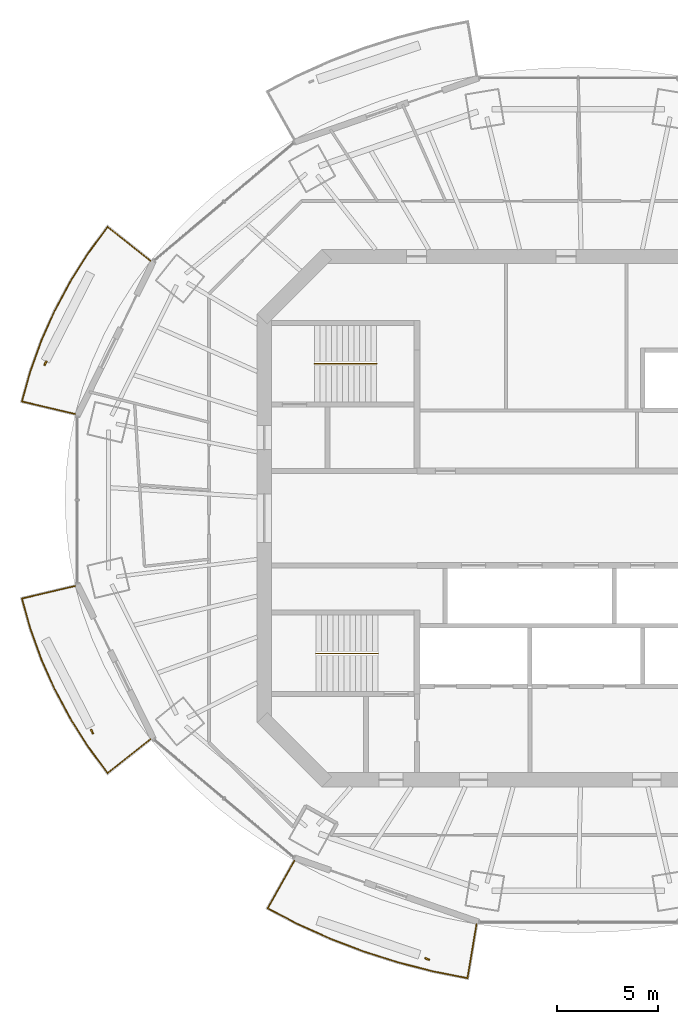
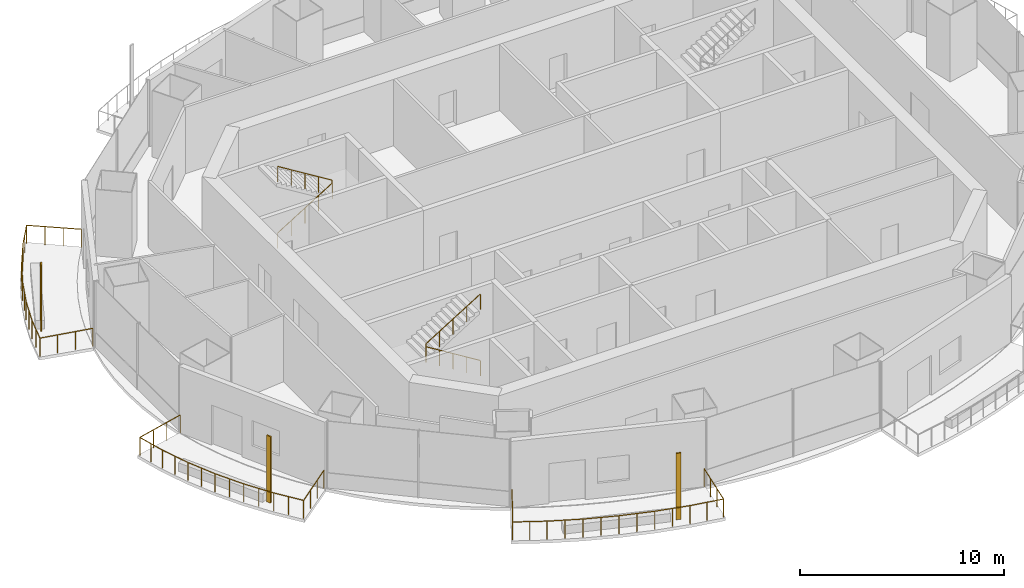
# One storey, part 12 of 15: 5 railings, 3 shading devices.
"""IFC4 building model written with IfcOpenShell, lengths in metres."""

import ifcopenshell
import ifcopenshell.guid

model = None  # the IFC model being written
_history = None  # IfcOwnerHistory: only IFC2X3 demands one
_inside = {}  # id of a spatial element -> (the spatial element, [elements in it])
_under = {}  # id of a project, library or spatial element -> (it, [spatial elements below it])
_declared = {}  # id of a project -> (the project, [libraries it declares])
_typed = {}  # id of a type object -> (the type object, [elements of that type])
_made_of = {}  # id of a material, layer set ... -> (it, [elements and type objects made of it])


def new_model(schema):
    """Start an empty IFC model of exactly this schema.

    Asked for "IFC4X3", IfcOpenShell would pick the latest addendum, in which some entities
    have other attributes; the version numbers below select the first issue.
    IFC2X3 requires an IfcOwnerHistory on every rooted entity: one is made here for all.
    """
    global model, _history
    if schema == "IFC4X3":
        model = ifcopenshell.file(schema_version=(4, 3, 0, 0))
    else:
        model = ifcopenshell.file(schema=schema)
    _inside.clear()
    _under.clear()
    _declared.clear()
    _typed.clear()
    _made_of.clear()
    _history = None
    if model.schema == "IFC2X3":
        org = make("IfcOrganization", Name="unknown")
        user = make(
            "IfcPersonAndOrganization",
            ThePerson=make("IfcPerson", FamilyName="unknown"),
            TheOrganization=org,
        )
        app = make(
            "IfcApplication",
            ApplicationDeveloper=org,
            Version="unknown",
            ApplicationFullName="unknown",
            ApplicationIdentifier="unknown",
        )
        _history = make(
            "IfcOwnerHistory",
            OwningUser=user,
            OwningApplication=app,
            ChangeAction="ADDED",
            CreationDate=0,
        )
    return model


def make(cls, **values):
    """One entity of the class cls with the attributes given. An attribute that is None is left unset."""
    return model.create_entity(
        cls, **{name: value for name, value in values.items() if value is not None}
    )


def rooted(cls, **values):
    """An entity with a GlobalId (a new one), such as an element, a storey or a relation."""
    return make(cls, GlobalId=ifcopenshell.guid.new(), OwnerHistory=_history, **values)


def si_unit(unit_type, name, prefix=None):
    """IfcSIUnit, for example si_unit("LENGTHUNIT", "METRE", prefix="MILLI")."""
    return make("IfcSIUnit", UnitType=unit_type, Prefix=prefix, Name=name)


def assignment(units):
    """IfcUnitAssignment: the units of a project."""
    return None if units is None else make("IfcUnitAssignment", Units=units)


def point(xyz):
    """IfcCartesianPoint."""
    return None if xyz is None else make("IfcCartesianPoint", Coordinates=xyz)


def direction(xyz):
    """IfcDirection."""
    return None if xyz is None else make("IfcDirection", DirectionRatios=xyz)


def frame(location, z_axis=None, x_axis=None):
    """IfcAxis2Placement3D, a coordinate frame: its origin and axes. An axis left out is left unset."""
    return make(
        "IfcAxis2Placement3D",
        Location=point(location),
        Axis=direction(z_axis),
        RefDirection=direction(x_axis),
    )


def frame_2d(location, x_axis=None):
    """IfcAxis2Placement2D, a coordinate frame in the plane: its origin and x axis."""
    return make(
        "IfcAxis2Placement2D", Location=point(location), RefDirection=direction(x_axis)
    )


def origin():
    """The frame at (0, 0, 0) with its axes left unset."""
    return frame((0.0, 0.0, 0.0))


def origin_2d():
    """The frame at (0, 0) in the plane with its x axis left unset."""
    return frame_2d((0.0, 0.0))


def place(relative_to, where):
    """IfcLocalPlacement: puts the frame where relative to a parent placement (None: the world)."""
    return make(
        "IfcLocalPlacement", PlacementRelTo=relative_to, RelativePlacement=where
    )


def context(
    kind, dimensions, precision=None, world=None, true_north=None, identifier=None
):
    """IfcGeometricRepresentationContext, for example the 3D "Model" context."""
    return make(
        "IfcGeometricRepresentationContext",
        ContextIdentifier=identifier,
        ContextType=kind,
        CoordinateSpaceDimension=dimensions,
        Precision=precision,
        WorldCoordinateSystem=world,
        TrueNorth=true_north,
    )


def subcontext(parent, identifier, kind, view, scale=None):
    """IfcGeometricRepresentationSubContext, for example "Body" below "Model"."""
    return make(
        "IfcGeometricRepresentationSubContext",
        ContextIdentifier=identifier,
        ContextType=kind,
        ParentContext=parent,
        TargetScale=scale,
        TargetView=view,
    )


def project(units=None, contexts=None):
    """IfcProject with its units and contexts."""
    return rooted(
        "IfcProject",
        Name="project",
        RepresentationContexts=contexts,
        UnitsInContext=assignment(units),
    )


def spatial(cls, under=None, at=None, **own):
    """A site, building, storey or space (cls), placed at a placement, below another one or the project."""
    s = rooted(cls, ObjectPlacement=at, **own)
    if under is not None:
        _under.setdefault(under.id(), (under, []))[1].append(s)
    return s


def profile(cls, at=None, kind="AREA", **sizes):
    """A parametric profile (cls). Its sizes go by their IFC names, for example OverallWidth=200.0."""
    return make(cls, ProfileType=kind, Position=at, **sizes)


def rectangle(**sizes):
    """IfcRectangleProfileDef."""
    return profile("IfcRectangleProfileDef", **sizes)


def circle(**sizes):
    """IfcCircleProfileDef."""
    return profile("IfcCircleProfileDef", **sizes)


def extrude(swept, where, along, depth):
    """IfcExtrudedAreaSolid: the profile swept, set in the frame where, extruded along a direction by depth."""
    return make(
        "IfcExtrudedAreaSolid",
        SweptArea=swept,
        Position=where,
        ExtrudedDirection=direction(along),
        Depth=depth,
    )


def shape(context_of_items, identifier, shape_type, items):
    """IfcShapeRepresentation: the items that make up one representation, for example the "Body"."""
    return make(
        "IfcShapeRepresentation",
        ContextOfItems=context_of_items,
        RepresentationIdentifier=identifier,
        RepresentationType=shape_type,
        Items=items,
    )


def material(Name=None, Category=None):
    """IfcMaterial."""
    return make("IfcMaterial", Name=Name, Category=Category)


def material_profile(
    of_material, cross_section, Name=None, Category=None, Priority=None
):
    """IfcMaterialProfile: a cross section and its material."""
    return make(
        "IfcMaterialProfile",
        Name=Name,
        Material=of_material,
        Profile=cross_section,
        Priority=Priority,
        Category=Category,
    )


def profile_set(profiles, Name=None, composite=None):
    """IfcMaterialProfileSet."""
    return make(
        "IfcMaterialProfileSet",
        Name=Name,
        MaterialProfiles=profiles,
        CompositeProfile=composite,
    )


def made_of(thing, what):
    """Note that an element or type object is made of a material, layer set ...; save() writes the relation."""
    if what is not None:
        _made_of.setdefault(what.id(), (what, []))[1].append(thing)
    return thing


def type_object(cls, material=None, **own):
    """A type object (cls), such as IfcWallType, which elements share."""
    return made_of(rooted(cls, **own), material)


def element(
    cls,
    number,
    at=None,
    inside=None,
    cuts=None,
    type_object=None,
    material=None,
    context=None,
    identifier="Body",
    shape_type=None,
    held_by="IfcProductDefinitionShape",
    body=None,
    shapes=None,
    **own,
):
    """One element of the class cls, such as IfcWall. Its Tag is "e" and its number.

    at: its placement. inside: the storey or other place that contains it. cuts: it is an
    opening in that element (IfcRelVoidsElement). A single representation is given by context,
    identifier, shape_type and body (its items); several are given by shapes. held_by: the class
    of the entity that holds the representations. save() writes the other relations.
    """
    e = rooted(cls, Tag="e%d" % number, ObjectPlacement=at, **own)
    if body is not None:
        shapes = [shape(context, identifier, shape_type, body)]
    if shapes is not None:
        e.Representation = make(held_by, Representations=shapes)
    if inside is not None:
        _inside.setdefault(inside.id(), (inside, []))[1].append(e)
    if cuts is not None:
        rooted(
            "IfcRelVoidsElement", RelatingBuildingElement=cuts, RelatedOpeningElement=e
        )
    if type_object is not None:
        _typed.setdefault(type_object.id(), (type_object, []))[1].append(e)
    return made_of(e, material)


def aggregate(whole, parts):
    """IfcRelAggregates: a whole, such as a stair, and the parts it consists of."""
    return rooted("IfcRelAggregates", RelatingObject=whole, RelatedObjects=parts)


def save(model, path):
    """Write the relations noted so far, then the file.

    IfcRelAggregates (storeys below a building ...), IfcRelContainedInSpatialStructure (elements
    in a storey), IfcRelDefinesByType, IfcRelAssociatesMaterial and IfcRelDeclares: one each for
    every whole, place, type object, material and project.
    """
    for whole, parts in _under.values():
        aggregate(whole, parts)
    for where, things in _inside.values():
        rooted(
            "IfcRelContainedInSpatialStructure",
            RelatedElements=things,
            RelatingStructure=where,
        )
    for kind, things in _typed.values():
        rooted("IfcRelDefinesByType", RelatedObjects=things, RelatingType=kind)
    for what, things in _made_of.values():
        rooted("IfcRelAssociatesMaterial", RelatedObjects=things, RelatingMaterial=what)
    for by, libraries in _declared.values():
        rooted("IfcRelDeclares", RelatingContext=by, RelatedDefinitions=libraries)
    model.write(path)


model = new_model("IFC4")

# Units and contexts
model_context = context("Model", 3, precision=1e-05, world=origin(), true_north=direction((0.0, 1.0)))
body_context = subcontext(model_context, "Body", "Model", "MODEL_VIEW")
ifc_project = project(units=[si_unit("LENGTHUNIT", "METRE"), si_unit("AREAUNIT", "SQUARE_METRE"), si_unit("VOLUMEUNIT", "CUBIC_METRE"), si_unit("PLANEANGLEUNIT", "RADIAN"), si_unit("MASSUNIT", "GRAM", prefix="KILO")], contexts=[model_context])

# Site, building, storey
site_placement = place(None, origin())
site = spatial("IfcSite", under=ifc_project, at=site_placement, CompositionType="ELEMENT")
building_placement = place(site_placement, origin())
building = spatial("IfcBuilding", under=site, at=building_placement, Name="Marenthal Gate Tower", CompositionType="ELEMENT")
storey_placement = place(building_placement, frame((0.0, 0.0, 388.25)))
storey = spatial("IfcBuildingStorey", under=building, at=storey_placement, Name="L88", CompositionType="ELEMENT", Elevation=388.25)

# Railings
ifc_material_1 = material(Name="Stainless steel", Category="steel")
railing_type_1 = type_object("IfcRailingType", Name="Balcony guard 1100", PredefinedType="GUARDRAIL", material=ifc_material_1)
railing_1_placement = place(storey_placement, frame((-25.3916015625, 5.17236328125, 0.0)))
element("IfcRailing", 1, at=railing_1_placement, inside=storey, type_object=railing_type_1, Name="Balcony guard L88 bay 7", PredefinedType="GUARDRAIL", context=body_context, shape_type="SweptSolid", body=[
    extrude(circle(Radius=0.02392578125, at=origin_2d()), frame((0.0, 0.0, 1.076171875), z_axis=(-0.973242229013, 0.229309654659, -0.014718897598), x_axis=(-0.2293344982, -0.973347670637, 0.0)), (0.0, 0.0, 1.0), 2.72021484375),
    extrude(circle(Radius=0.02392578125, at=origin_2d()), frame((-2.6474609375, 0.623779296875, 1.0361328125), z_axis=(0.268383876194, 0.963312044459, 0.0), x_axis=(-0.963312044459, 0.268383876194, 0.0)), (0.0, 0.0, 1.0), 1.54833984375),
    extrude(circle(Radius=0.02392578125, at=origin_2d()), frame((-2.23193359375, 2.115234375, 1.0361328125), z_axis=(0.338455003205, 0.940982577312, 0.0), x_axis=(-0.940982577312, 0.338455003205, 0.0)), (0.0, 0.0, 1.0), 1.634521484375),
    extrude(circle(Radius=0.02392578125, at=origin_2d()), frame((-1.6787109375, 3.6533203125, 1.0361328125), z_axis=(0.40761322546, 0.91315467388, 0.0), x_axis=(-0.91315467388, 0.40761322546, 0.0)), (0.0, 0.0, 1.0), 1.642822265625),
    extrude(circle(Radius=0.02392578125, at=origin_2d()), frame((-1.009033203125, 5.153564453125, 1.0361328125), z_axis=(0.473209477618, 0.880949936315, 0.0), x_axis=(-0.880949936315, 0.473209477618, 0.0)), (0.0, 0.0, 1.0), 1.652099609375),
    extrude(circle(Radius=0.02392578125, at=origin_2d()), frame((-0.227294921875, 6.60888671875, 1.0361328125), z_axis=(0.53537343379, 0.844615466583, 0.0), x_axis=(-0.844615466583, 0.53537343379, 0.0)), (0.0, 0.0, 1.0), 1.66259765625),
    extrude(circle(Radius=0.02392578125, at=origin_2d()), frame((0.662841796875, 8.01318359375, 1.0361328125), z_axis=(0.592007425155, 0.805932508689, 0.0), x_axis=(-0.805932508689, 0.592007425155, 0.0)), (0.0, 0.0, 1.0), 1.59423828125),
    extrude(circle(Radius=0.02392578125, at=origin_2d()), frame((1.606689453125, 9.298095703125, 1.0361328125), z_axis=(0.783960909107, -0.620635719709, 0.014717214869), x_axis=(0.620702944366, 0.784045824462, 0.0)), (0.0, 0.0, 1.0), 2.720458984375),
    extrude(circle(Radius=0.02099609375, at=origin_2d()), origin(), (0.0, 0.0, 1.0), 1.052001953125),
    extrude(circle(Radius=0.02099609375, at=origin_2d()), frame((-0.882568359375, 0.2080078125, -0.013427734375)), (0.0, 0.0, 1.0), 1.052001953125),
    extrude(circle(Radius=0.02099609375, at=origin_2d()), frame((-1.764892578125, 0.415771484375, -0.026611328125)), (0.0, 0.0, 1.0), 1.052001953125),
    extrude(circle(Radius=0.02099609375, at=origin_2d()), frame((-2.6474609375, 0.623779296875, -0.0400390625)), (0.0, 0.0, 1.0), 1.052001953125),
    extrude(circle(Radius=0.02099609375, at=origin_2d()), frame((-2.439697265625, 1.36962890625, -0.0400390625)), (0.0, 0.0, 1.0), 1.052001953125),
    extrude(circle(Radius=0.02099609375, at=origin_2d()), frame((-2.23193359375, 2.115234375, -0.0400390625)), (0.0, 0.0, 1.0), 1.052001953125),
    extrude(circle(Radius=0.02099609375, at=origin_2d()), frame((-1.955322265625, 2.88427734375, -0.0400390625)), (0.0, 0.0, 1.0), 1.052001953125),
    extrude(circle(Radius=0.02099609375, at=origin_2d()), frame((-1.6787109375, 3.6533203125, -0.0400390625)), (0.0, 0.0, 1.0), 1.052001953125),
    extrude(circle(Radius=0.02099609375, at=origin_2d()), frame((-1.34375, 4.4033203125, -0.0400390625)), (0.0, 0.0, 1.0), 1.052001953125),
    extrude(circle(Radius=0.02099609375, at=origin_2d()), frame((-1.009033203125, 5.153564453125, -0.0400390625)), (0.0, 0.0, 1.0), 1.052001953125),
    extrude(circle(Radius=0.02099609375, at=origin_2d()), frame((-0.6181640625, 5.88134765625, -0.0400390625)), (0.0, 0.0, 1.0), 1.052001953125),
    extrude(circle(Radius=0.02099609375, at=origin_2d()), frame((-0.227294921875, 6.60888671875, -0.0400390625)), (0.0, 0.0, 1.0), 1.052001953125),
    extrude(circle(Radius=0.02099609375, at=origin_2d()), frame((0.2177734375, 7.31103515625, -0.0400390625)), (0.0, 0.0, 1.0), 1.052001953125),
    extrude(circle(Radius=0.02099609375, at=origin_2d()), frame((0.662841796875, 8.01318359375, -0.0400390625)), (0.0, 0.0, 1.0), 1.052001953125),
    extrude(circle(Radius=0.02099609375, at=origin_2d()), frame((1.134765625, 8.65576171875, -0.0400390625)), (0.0, 0.0, 1.0), 1.052001953125),
    extrude(circle(Radius=0.02099609375, at=origin_2d()), frame((1.606689453125, 9.298095703125, -0.0400390625)), (0.0, 0.0, 1.0), 1.052001953125),
    extrude(circle(Radius=0.02099609375, at=origin_2d()), frame((2.317626953125, 8.7353515625, -0.026611328125)), (0.0, 0.0, 1.0), 1.052001953125),
    extrude(circle(Radius=0.02099609375, at=origin_2d()), frame((3.028564453125, 8.17236328125, -0.013427734375)), (0.0, 0.0, 1.0), 1.052001953125),
    extrude(circle(Radius=0.02099609375, at=origin_2d()), frame((3.739501953125, 7.609619140625, 0.0)), (0.0, 0.0, 1.0), 1.052001953125),
])
railing_2_placement = place(storey_placement, frame((-21.652099609375, -10.982177734375, 0.0)))
element("IfcRailing", 2, at=railing_2_placement, inside=storey, type_object=railing_type_1, Name="Balcony guard L88 bay 9", PredefinedType="GUARDRAIL", context=body_context, shape_type="SweptSolid", body=[
    extrude(circle(Radius=0.02392578125, at=origin_2d()), frame((0.0, 0.0, 1.076171875), z_axis=(-0.784004572536, -0.620580542478, -0.014718034558), x_axis=(0.620647768646, -0.784089502082, 0.0)), (0.0, 0.0, 1.0), 2.720458984375),
    extrude(circle(Radius=0.02392578125, at=origin_2d()), frame((-2.1328125, -1.688232421875, 1.0361328125), z_axis=(-0.592080493668, 0.805878830233, 0.0), x_axis=(-0.805878830233, -0.592080493668, 0.0)), (0.0, 0.0, 1.0), 1.59423828125),
    extrude(circle(Radius=0.02392578125, at=origin_2d()), frame((-3.07666015625, -0.403564453125, 1.0361328125), z_axis=(-0.535307042217, 0.844657546318, 0.0), x_axis=(-0.844657546318, -0.535307042217, 0.0)), (0.0, 0.0, 1.0), 1.662841796875),
    extrude(circle(Radius=0.02392578125, at=origin_2d()), frame((-3.966796875, 1.0009765625, 1.0361328125), z_axis=(-0.473209477618, 0.880949936315, 0.0), x_axis=(-0.880949936315, -0.473209477618, 0.0)), (0.0, 0.0, 1.0), 1.652099609375),
    extrude(circle(Radius=0.02392578125, at=origin_2d()), frame((-4.74853515625, 2.456298828125, 1.0361328125), z_axis=(-0.40761322546, 0.91315467388, 0.0), x_axis=(-0.91315467388, -0.40761322546, 0.0)), (0.0, 0.0, 1.0), 1.642822265625),
    extrude(circle(Radius=0.02392578125, at=origin_2d()), frame((-5.418212890625, 3.95654296875, 1.0361328125), z_axis=(-0.338455003205, 0.940982577312, 0.0), x_axis=(-0.940982577312, -0.338455003205, 0.0)), (0.0, 0.0, 1.0), 1.634521484375),
    extrude(circle(Radius=0.02392578125, at=origin_2d()), frame((-5.971435546875, 5.49462890625, 1.0361328125), z_axis=(-0.268383876194, 0.963312044459, 0.0), x_axis=(-0.963312044459, -0.268383876194, 0.0)), (0.0, 0.0, 1.0), 1.54833984375),
    extrude(circle(Radius=0.02392578125, at=origin_2d()), frame((-6.386962890625, 6.986083984375, 1.0361328125), z_axis=(0.973242229013, 0.229309654659, 0.014718897598), x_axis=(-0.2293344982, 0.973347670637, 0.0)), (0.0, 0.0, 1.0), 2.72021484375),
    extrude(circle(Radius=0.02099609375, at=origin_2d()), origin(), (0.0, 0.0, 1.0), 1.052001953125),
    extrude(circle(Radius=0.02099609375, at=origin_2d()), frame((-0.7109375, -0.562744140625, -0.013427734375)), (0.0, 0.0, 1.0), 1.052001953125),
    extrude(circle(Radius=0.02099609375, at=origin_2d()), frame((-1.421875, -1.12548828125, -0.026611328125)), (0.0, 0.0, 1.0), 1.052001953125),
    extrude(circle(Radius=0.02099609375, at=origin_2d()), frame((-2.1328125, -1.688232421875, -0.0400390625)), (0.0, 0.0, 1.0), 1.052001953125),
    extrude(circle(Radius=0.02099609375, at=origin_2d()), frame((-2.604736328125, -1.0458984375, -0.0400390625)), (0.0, 0.0, 1.0), 1.052001953125),
    extrude(circle(Radius=0.02099609375, at=origin_2d()), frame((-3.07666015625, -0.403564453125, -0.0400390625)), (0.0, 0.0, 1.0), 1.052001953125),
    extrude(circle(Radius=0.02099609375, at=origin_2d()), frame((-3.521728515625, 0.298828125, -0.0400390625)), (0.0, 0.0, 1.0), 1.052001953125),
    extrude(circle(Radius=0.02099609375, at=origin_2d()), frame((-3.966796875, 1.0009765625, -0.0400390625)), (0.0, 0.0, 1.0), 1.052001953125),
    extrude(circle(Radius=0.02099609375, at=origin_2d()), frame((-4.357666015625, 1.728515625, -0.0400390625)), (0.0, 0.0, 1.0), 1.052001953125),
    extrude(circle(Radius=0.02099609375, at=origin_2d()), frame((-4.74853515625, 2.456298828125, -0.0400390625)), (0.0, 0.0, 1.0), 1.052001953125),
    extrude(circle(Radius=0.02099609375, at=origin_2d()), frame((-5.08349609375, 3.20654296875, -0.0400390625)), (0.0, 0.0, 1.0), 1.052001953125),
    extrude(circle(Radius=0.02099609375, at=origin_2d()), frame((-5.418212890625, 3.95654296875, -0.0400390625)), (0.0, 0.0, 1.0), 1.052001953125),
    extrude(circle(Radius=0.02099609375, at=origin_2d()), frame((-5.69482421875, 4.7255859375, -0.0400390625)), (0.0, 0.0, 1.0), 1.052001953125),
    extrude(circle(Radius=0.02099609375, at=origin_2d()), frame((-5.971435546875, 5.49462890625, -0.0400390625)), (0.0, 0.0, 1.0), 1.052001953125),
    extrude(circle(Radius=0.02099609375, at=origin_2d()), frame((-6.17919921875, 6.240234375, -0.0400390625)), (0.0, 0.0, 1.0), 1.052001953125),
    extrude(circle(Radius=0.02099609375, at=origin_2d()), frame((-6.386962890625, 6.986083984375, -0.0400390625)), (0.0, 0.0, 1.0), 1.052001953125),
    extrude(circle(Radius=0.02099609375, at=origin_2d()), frame((-5.50439453125, 7.194091796875, -0.026611328125)), (0.0, 0.0, 1.0), 1.052001953125),
    extrude(circle(Radius=0.02099609375, at=origin_2d()), frame((-4.6220703125, 7.40185546875, -0.013427734375)), (0.0, 0.0, 1.0), 1.052001953125),
    extrude(circle(Radius=0.02099609375, at=origin_2d()), frame((-3.739501953125, 7.60986328125, 0.0)), (0.0, 0.0, 1.0), 1.052001953125),
])
railing_3_placement = place(storey_placement, frame((-5.45361328125, -20.173583984375, 0.0)))
element("IfcRailing", 3, at=railing_3_placement, inside=storey, type_object=railing_type_1, Name="Balcony guard L88 bay 11", PredefinedType="GUARDRAIL", context=body_context, shape_type="SweptSolid", body=[
    extrude(circle(Radius=0.02392578125, at=origin_2d()), frame((0.0, 0.0, 1.076171875), z_axis=(-0.165574389609, -0.986087475896, -0.014717723521), x_axis=(0.986194292137, -0.165592325172, 0.0)), (0.0, 0.0, 1.0), 2.720458984375),
    extrude(circle(Radius=0.02392578125, at=origin_2d()), frame((-0.450439453125, -2.6826171875, 1.0361328125), z_axis=(-0.980964438723, 0.194187460876, 0.0), x_axis=(-0.194187460876, -0.980964438723, 0.0)), (0.0, 0.0, 1.0), 1.728759765625),
    extrude(circle(Radius=0.02392578125, at=origin_2d()), frame((-2.146240234375, -2.346923828125, 1.0361328125), z_axis=(-0.968780763382, 0.247919003914, 0.0), x_axis=(-0.247919003914, -0.968780763382, 0.0)), (0.0, 0.0, 1.0), 1.802001953125),
    extrude(circle(Radius=0.02392578125, at=origin_2d()), frame((-3.89208984375, -1.900146484375, 1.0361328125), z_axis=(-0.95315602873, 0.30247906522, 0.0), x_axis=(-0.30247906522, -0.95315602873, 0.0)), (0.0, 0.0, 1.0), 1.794189453125),
    extrude(circle(Radius=0.02392578125, at=origin_2d()), frame((-5.602294921875, -1.357421875, 1.0361328125), z_axis=(-0.934181923489, 0.356797048512, 0.0), x_axis=(-0.356797048512, -0.934181923489, 0.0)), (0.0, 0.0, 1.0), 1.78515625),
    extrude(circle(Radius=0.02392578125, at=origin_2d()), frame((-7.27001953125, -0.720458984375, 1.0361328125), z_axis=(-0.911620111455, 0.411033784975, 0.0), x_axis=(-0.411033784975, -0.911620111455, 0.0)), (0.0, 0.0, 1.0), 1.774658203125),
    extrude(circle(Radius=0.02392578125, at=origin_2d()), frame((-8.887939453125, 0.009033203125, 1.0361328125), z_axis=(-0.88630797914, 0.463096281688, 0.0), x_axis=(-0.463096281688, -0.88630797914, 0.0)), (0.0, 0.0, 1.0), 1.683349609375),
    extrude(circle(Radius=0.02392578125, at=origin_2d()), frame((-10.3798828125, 0.78857421875, 1.0361328125), z_axis=(0.491196386037, 0.87092448933, 0.014718839267), x_axis=(-0.871018845044, 0.491249602115, 0.0)), (0.0, 0.0, 1.0), 2.72021484375),
    extrude(circle(Radius=0.02099609375, at=origin_2d()), origin(), (0.0, 0.0, 1.0), 1.052001953125),
    extrude(circle(Radius=0.02099609375, at=origin_2d()), frame((-0.150146484375, -0.894287109375, -0.013427734375)), (0.0, 0.0, 1.0), 1.052001953125),
    extrude(circle(Radius=0.02099609375, at=origin_2d()), frame((-0.30029296875, -1.788330078125, -0.026611328125)), (0.0, 0.0, 1.0), 1.052001953125),
    extrude(circle(Radius=0.02099609375, at=origin_2d()), frame((-0.450439453125, -2.6826171875, -0.0400390625)), (0.0, 0.0, 1.0), 1.052001953125),
    extrude(circle(Radius=0.02099609375, at=origin_2d()), frame((-1.29833984375, -2.5146484375, -0.0400390625)), (0.0, 0.0, 1.0), 1.052001953125),
    extrude(circle(Radius=0.02099609375, at=origin_2d()), frame((-2.146240234375, -2.346923828125, -0.0400390625)), (0.0, 0.0, 1.0), 1.052001953125),
    extrude(circle(Radius=0.02099609375, at=origin_2d()), frame((-3.01904296875, -2.12353515625, -0.0400390625)), (0.0, 0.0, 1.0), 1.052001953125),
    extrude(circle(Radius=0.02099609375, at=origin_2d()), frame((-3.89208984375, -1.900146484375, -0.0400390625)), (0.0, 0.0, 1.0), 1.052001953125),
    extrude(circle(Radius=0.02099609375, at=origin_2d()), frame((-4.7470703125, -1.62890625, -0.0400390625)), (0.0, 0.0, 1.0), 1.052001953125),
    extrude(circle(Radius=0.02099609375, at=origin_2d()), frame((-5.602294921875, -1.357421875, -0.0400390625)), (0.0, 0.0, 1.0), 1.052001953125),
    extrude(circle(Radius=0.02099609375, at=origin_2d()), frame((-6.43603515625, -1.0390625, -0.0400390625)), (0.0, 0.0, 1.0), 1.052001953125),
    extrude(circle(Radius=0.02099609375, at=origin_2d()), frame((-7.27001953125, -0.720458984375, -0.0400390625)), (0.0, 0.0, 1.0), 1.052001953125),
    extrude(circle(Radius=0.02099609375, at=origin_2d()), frame((-8.0791015625, -0.355712890625, -0.0400390625)), (0.0, 0.0, 1.0), 1.052001953125),
    extrude(circle(Radius=0.02099609375, at=origin_2d()), frame((-8.887939453125, 0.009033203125, -0.0400390625)), (0.0, 0.0, 1.0), 1.052001953125),
    extrude(circle(Radius=0.02099609375, at=origin_2d()), frame((-9.6337890625, 0.39892578125, -0.0400390625)), (0.0, 0.0, 1.0), 1.052001953125),
    extrude(circle(Radius=0.02099609375, at=origin_2d()), frame((-10.3798828125, 0.78857421875, -0.0400390625)), (0.0, 0.0, 1.0), 1.052001953125),
    extrude(circle(Radius=0.02099609375, at=origin_2d()), frame((-9.9345703125, 1.578369140625, -0.026611328125)), (0.0, 0.0, 1.0), 1.052001953125),
    extrude(circle(Radius=0.02099609375, at=origin_2d()), frame((-9.489013671875, 2.367919921875, -0.013427734375)), (0.0, 0.0, 1.0), 1.052001953125),
    extrude(circle(Radius=0.02099609375, at=origin_2d()), frame((-9.043701171875, 3.15771484375, 0.0)), (0.0, 0.0, 1.0), 1.052001953125),
])
ifc_material_2 = material(Name="Stainless steel", Category="steel")
railing_type_2 = type_object("IfcRailingType", Name="Stair handrail", PredefinedType="HANDRAIL", material=ifc_material_2)
railing_4_placement = place(storey_placement, frame((-13.5, 7.675048828125, 0.1728515625)))
element("IfcRailing", 4, at=railing_4_placement, inside=storey, type_object=railing_type_2, Name="Handrail ST1", PredefinedType="HANDRAIL", context=body_context, shape_type="SweptSolid", body=[
    extrude(circle(Radius=0.0224609375, at=origin_2d()), frame((0.0, 0.0, 0.927490234375), z_axis=(0.850835241893, 0.0, 0.525432575268), x_axis=(0.0, 1.0, 0.0)), (0.0, 0.0, 1.0), 3.6201171875),
    extrude(circle(Radius=0.0224609375, at=origin_2d()), frame((3.080078125, 0.0, 2.82958984375), z_axis=(0.0, 0.0, 1.0), x_axis=(1.0, 0.0, 0.0)), (0.0, 0.0, 1.0), 0.1728515625),
    extrude(circle(Radius=0.0224609375, at=origin_2d()), frame((3.080078125, 0.0, 3.00244140625), z_axis=(-0.850835241893, 0.0, 0.525432575268), x_axis=(0.0, -1.0, 0.0)), (0.0, 0.0, 1.0), 3.6201171875),
    extrude(circle(Radius=0.02001953125, at=origin_2d()), origin(), (0.0, 0.0, 1.0), 0.905029296875),
    extrude(circle(Radius=0.02001953125, at=origin_2d()), frame((0.77001953125, 0.0, 0.4755859375)), (0.0, 0.0, 1.0), 0.905029296875),
    extrude(circle(Radius=0.02001953125, at=origin_2d()), frame((1.5400390625, 0.0, 0.951171875)), (0.0, 0.0, 1.0), 0.905029296875),
    extrude(circle(Radius=0.02001953125, at=origin_2d()), frame((2.31005859375, 0.0, 1.426513671875)), (0.0, 0.0, 1.0), 0.905029296875),
    extrude(circle(Radius=0.02001953125, at=origin_2d()), frame((3.080078125, 0.0, 1.902099609375)), (0.0, 0.0, 1.0), 0.905029296875),
    extrude(circle(Radius=0.02001953125, at=origin_2d()), frame((3.080078125, 0.0, 2.074951171875)), (0.0, 0.0, 1.0), 0.905029296875),
    extrude(circle(Radius=0.02001953125, at=origin_2d()), frame((2.31005859375, 0.0, 2.550537109375)), (0.0, 0.0, 1.0), 0.905029296875),
    extrude(circle(Radius=0.02001953125, at=origin_2d()), frame((1.5400390625, 0.0, 3.02587890625)), (0.0, 0.0, 1.0), 0.905029296875),
    extrude(circle(Radius=0.02001953125, at=origin_2d()), frame((0.77001953125, 0.0, 3.50146484375)), (0.0, 0.0, 1.0), 0.905029296875),
    extrude(circle(Radius=0.02001953125, at=origin_2d()), frame((0.0, 0.0, 3.97705078125)), (0.0, 0.0, 1.0), 0.905029296875),
])
railing_5_placement = place(storey_placement, frame((-10.35009765625, -6.72509765625, 0.1728515625)))
element("IfcRailing", 5, at=railing_5_placement, inside=storey, type_object=railing_type_2, Name="Handrail ST2", PredefinedType="HANDRAIL", context=body_context, shape_type="SweptSolid", body=[
    extrude(circle(Radius=0.0224609375, at=origin_2d()), frame((0.0, 0.0, 0.927490234375), z_axis=(-0.850816621229, 0.0, 0.525462726595), x_axis=(0.0, -1.0, 0.0)), (0.0, 0.0, 1.0), 3.619873046875),
    extrude(circle(Radius=0.0224609375, at=origin_2d()), frame((-3.079833984375, 0.0, 2.82958984375), z_axis=(0.0, 0.0, 1.0), x_axis=(1.0, 0.0, 0.0)), (0.0, 0.0, 1.0), 0.1728515625),
    extrude(circle(Radius=0.0224609375, at=origin_2d()), frame((-3.079833984375, 0.0, 3.00244140625), z_axis=(0.850816621229, 0.0, 0.525462726595), x_axis=(0.0, 1.0, 0.0)), (0.0, 0.0, 1.0), 3.619873046875),
    extrude(circle(Radius=0.02001953125, at=origin_2d()), origin(), (0.0, 0.0, 1.0), 0.905029296875),
    extrude(circle(Radius=0.02001953125, at=origin_2d()), frame((-0.77001953125, 0.0, 0.4755859375)), (0.0, 0.0, 1.0), 0.905029296875),
    extrude(circle(Radius=0.02001953125, at=origin_2d()), frame((-1.5400390625, 0.0, 0.951171875)), (0.0, 0.0, 1.0), 0.905029296875),
    extrude(circle(Radius=0.02001953125, at=origin_2d()), frame((-2.309814453125, 0.0, 1.426513671875)), (0.0, 0.0, 1.0), 0.905029296875),
    extrude(circle(Radius=0.02001953125, at=origin_2d()), frame((-3.079833984375, 0.0, 1.902099609375)), (0.0, 0.0, 1.0), 0.905029296875),
    extrude(circle(Radius=0.02001953125, at=origin_2d()), frame((-3.079833984375, 0.0, 2.074951171875)), (0.0, 0.0, 1.0), 0.905029296875),
    extrude(circle(Radius=0.02001953125, at=origin_2d()), frame((-2.309814453125, 0.0, 2.550537109375)), (0.0, 0.0, 1.0), 0.905029296875),
    extrude(circle(Radius=0.02001953125, at=origin_2d()), frame((-1.5400390625, 0.0, 3.02587890625)), (0.0, 0.0, 1.0), 0.905029296875),
    extrude(circle(Radius=0.02001953125, at=origin_2d()), frame((-0.77001953125, 0.0, 3.50146484375)), (0.0, 0.0, 1.0), 0.905029296875),
    extrude(circle(Radius=0.02001953125, at=origin_2d()), frame((0.0, 0.0, 3.97705078125)), (0.0, 0.0, 1.0), 0.905029296875),
])

# Shading devices
ifc_material_3 = material(Name="Terracotta", Category="masonry")
ifc_material_profile = material_profile(ifc_material_3, rectangle(XDim=0.25, YDim=0.080078125, at=origin_2d()), Name="Terracotta baguette 250x80")
ifc_profile_set = profile_set([ifc_material_profile], Name="Terracotta")
shading_device_type = type_object("IfcShadingDeviceType", Name="Terracotta BAGUETTE SCREEN 250x80", PredefinedType="USERDEFINED", material=ifc_profile_set)
for number, where, z_axis, x_axis, name in (
    (6, (-26.87158203125, 7.69287109375, -0.0400390625), (0.0, 0.0, 1.0), (-0.440810069048, -0.897600402755, 0.0), "Terracotta BAGUETTE L88 bay 7R"),
    (7, (-24.555908203125, -10.60791015625, -0.0400390625), (0.0, 0.0, 1.0), (0.440810069048, -0.897600402755, 0.0), "Terracotta BAGUETTE L88 bay 9R"),
    (8, (-7.9033203125, -21.90771484375, -0.0400390625), (0.0, 0.0, 1.0), (0.944044940534, -0.329816843494, 0.0), "Terracotta BAGUETTE L88 bay 11R"),
):
    element("IfcShadingDevice", number, at=place(storey_placement, frame(where, z_axis=z_axis, x_axis=x_axis)), inside=storey, type_object=shading_device_type, Name=name, ObjectType="BAGUETTE SCREEN", PredefinedType="USERDEFINED", context=body_context, shape_type="SweptSolid", body=[
        extrude(rectangle(XDim=0.25, YDim=0.080078125, at=origin_2d()), origin(), (0.0, 0.0, 1.0), 3.969970703125),
    ])

save(model, "model.ifc")
